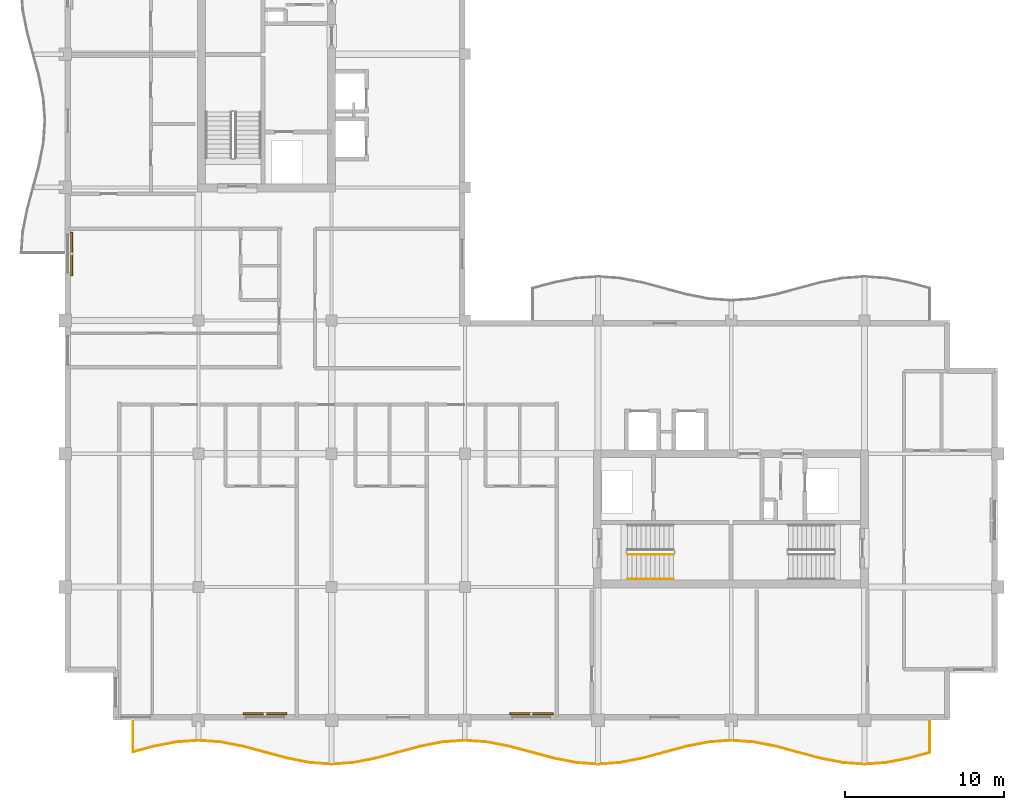
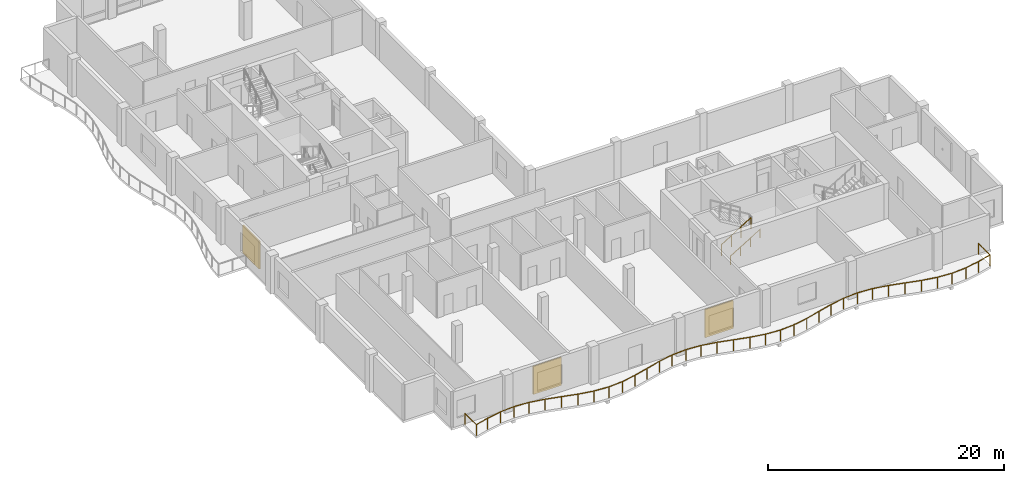
# One storey, part 14 of 17: 3 railings, 3 shading devices.
"""IFC4 building model written with IfcOpenShell, lengths in metres."""

from ifc_helpers import new_model, si_unit, direction, frame, origin, origin_2d, place, context, subcontext, project, spatial, rectangle, circle, extrude, material, layer, layer_set, type_object, element, save


model = new_model("IFC4")

# Units and contexts
model_context = context("Model", 3, precision=1e-05, world=origin(), true_north=direction((0.0, 1.0)))
body_context = subcontext(model_context, "Body", "Model", "MODEL_VIEW")
ifc_project = project(units=[si_unit("LENGTHUNIT", "METRE"), si_unit("AREAUNIT", "SQUARE_METRE"), si_unit("VOLUMEUNIT", "CUBIC_METRE"), si_unit("PLANEANGLEUNIT", "RADIAN"), si_unit("MASSUNIT", "GRAM", prefix="KILO")], contexts=[model_context])

# Site, building, storey
site_placement = place(None, origin())
site = spatial("IfcSite", under=ifc_project, at=site_placement, CompositionType="ELEMENT")
building_placement = place(site_placement, origin())
building = spatial("IfcBuilding", under=site, at=building_placement, Name="Koriwani Terraces Tower", CompositionType="ELEMENT")
storey_placement = place(building_placement, frame((0.0, 0.0, 316.39990234375)))
storey = spatial("IfcBuildingStorey", under=building, at=storey_placement, Name="L78", CompositionType="ELEMENT", Elevation=316.39990234375)

# Railings
ifc_material_1 = material(Name="Steel ASTM A572 Grade 50", Category="steel")
railing_type_1 = type_object("IfcRailingType", Name="GUARD_BALUSTRADE_1150", PredefinedType="BALUSTRADE", material=ifc_material_1)
railing_1_placement = place(storey_placement, frame((12.679931640625, 8.320068359375, 0.0)))
element("IfcRailing", 1, at=railing_1_placement, inside=storey, type_object=railing_type_1, Name="L78 Balcony Perimeter Safety Balustrade (S)", PredefinedType="BALUSTRADE", context=body_context, shape_type="SweptSolid", body=[
    extrude(circle(Radius=0.02392578125, at=origin_2d()), frame((0.0, 0.0, 1.1259765625), z_axis=(0.0, -1.0, 0.0), x_axis=(1.0, 0.0, 0.0)), (0.0, 0.0, 1.0), 1.915771484375),
    extrude(circle(Radius=0.02392578125, at=origin_2d()), frame((0.0, -1.915771484375, 1.1259765625), z_axis=(0.965969874285, 0.258654599752, 0.0), x_axis=(-0.258654599752, 0.965969874285, 0.0)), (0.0, 0.0, 1.0), 1.347900390625),
    extrude(circle(Radius=0.02392578125, at=origin_2d()), frame((1.302001953125, -1.567138671875, 1.1259765625), z_axis=(0.981358469957, 0.192186246762, 0.0), x_axis=(-0.192186246762, 0.981358469957, 0.0)), (0.0, 0.0, 1.0), 1.434326171875),
    extrude(circle(Radius=0.02392578125, at=origin_2d()), frame((2.70947265625, -1.29150390625, 1.1259765625), z_axis=(0.997430581876, 0.071639614309, 0.0), x_axis=(-0.071639614309, 0.997430581876, 0.0)), (0.0, 0.0, 1.0), 1.414306640625),
    extrude(circle(Radius=0.02392578125, at=origin_2d()), frame((4.1201171875, -1.190185546875, 1.1259765625), z_axis=(0.997430581876, -0.071639614309, 0.0), x_axis=(0.071639614309, 0.997430581876, 0.0)), (0.0, 0.0, 1.0), 1.414306640625),
    extrude(circle(Radius=0.02392578125, at=origin_2d()), frame((5.53076171875, -1.29150390625, 1.1259765625), z_axis=(0.981352180954, -0.192218357442, 0.0), x_axis=(0.192218357442, 0.981352180954, 0.0)), (0.0, 0.0, 1.0), 1.43408203125),
    extrude(circle(Radius=0.02392578125, at=origin_2d()), frame((6.93798828125, -1.567138671875, 1.1259765625), z_axis=(0.965954816498, -0.258710827923, 0.0), x_axis=(0.258710827923, 0.965954816498, 0.0)), (0.0, 0.0, 1.0), 2.89892578125),
    extrude(circle(Radius=0.02392578125, at=origin_2d()), frame((9.73828125, -2.317138671875, 1.1259765625), z_axis=(0.981321393675, -0.19237547223, 0.0), x_axis=(0.19237547223, 0.981321393675, 0.0)), (0.0, 0.0, 1.0), 1.4189453125),
    extrude(circle(Radius=0.02392578125, at=origin_2d()), frame((11.130615234375, -2.590087890625, 1.1259765625), z_axis=(0.997427466293, -0.07168297904, 0.0), x_axis=(0.07168297904, 0.997427466293, 0.0)), (0.0, 0.0, 1.0), 1.39306640625),
    extrude(circle(Radius=0.02392578125, at=origin_2d()), frame((12.52001953125, -2.68994140625, 1.1259765625), z_axis=(0.997427466293, 0.07168297904, 0.0), x_axis=(-0.07168297904, 0.997427466293, 0.0)), (0.0, 0.0, 1.0), 1.39306640625),
    extrude(circle(Radius=0.02392578125, at=origin_2d()), frame((13.909423828125, -2.590087890625, 1.1259765625), z_axis=(0.981327760125, 0.192342993657, 0.0), x_axis=(-0.192342993657, 0.981327760125, 0.0)), (0.0, 0.0, 1.0), 1.419189453125),
    extrude(circle(Radius=0.02392578125, at=origin_2d()), frame((15.302001953125, -2.317138671875, 1.1259765625), z_axis=(0.96594917914, 0.258731875344, 0.0), x_axis=(-0.258731875344, 0.96594917914, 0.0)), (0.0, 0.0, 1.0), 2.898681640625),
    extrude(circle(Radius=0.02392578125, at=origin_2d()), frame((18.10205078125, -1.567138671875, 1.1259765625), z_axis=(0.981358469957, 0.192186246762, 0.0), x_axis=(-0.192186246762, 0.981358469957, 0.0)), (0.0, 0.0, 1.0), 1.434326171875),
    extrude(circle(Radius=0.02392578125, at=origin_2d()), frame((19.509521484375, -1.29150390625, 1.1259765625), z_axis=(0.997430581876, 0.071639614309, 0.0), x_axis=(-0.071639614309, 0.997430581876, 0.0)), (0.0, 0.0, 1.0), 1.414306640625),
    extrude(circle(Radius=0.02392578125, at=origin_2d()), frame((20.920166015625, -1.190185546875, 1.1259765625), z_axis=(0.997429695692, -0.071651951482, 0.0), x_axis=(0.071651951482, 0.997429695692, 0.0)), (0.0, 0.0, 1.0), 1.4140625),
    extrude(circle(Radius=0.02392578125, at=origin_2d()), frame((22.33056640625, -1.29150390625, 1.1259765625), z_axis=(0.981358469957, -0.192186246762, 0.0), x_axis=(0.192186246762, 0.981358469957, 0.0)), (0.0, 0.0, 1.0), 1.434326171875),
    extrude(circle(Radius=0.02392578125, at=origin_2d()), frame((23.738037109375, -1.567138671875, 1.1259765625), z_axis=(0.96594917914, -0.258731875344, 0.0), x_axis=(0.258731875344, 0.96594917914, 0.0)), (0.0, 0.0, 1.0), 2.898681640625),
    extrude(circle(Radius=0.02392578125, at=origin_2d()), frame((26.5380859375, -2.317138671875, 1.1259765625), z_axis=(0.981327760125, -0.192342993657, 0.0), x_axis=(0.192342993657, 0.981327760125, 0.0)), (0.0, 0.0, 1.0), 1.419189453125),
    extrude(circle(Radius=0.02392578125, at=origin_2d()), frame((27.9306640625, -2.590087890625, 1.1259765625), z_axis=(0.997427466293, -0.07168297904, 0.0), x_axis=(0.07168297904, 0.997427466293, 0.0)), (0.0, 0.0, 1.0), 1.39306640625),
    extrude(circle(Radius=0.02392578125, at=origin_2d()), frame((29.320068359375, -2.68994140625, 1.1259765625), z_axis=(0.997427466293, 0.07168297904, 0.0), x_axis=(-0.07168297904, 0.997427466293, 0.0)), (0.0, 0.0, 1.0), 1.39306640625),
    extrude(circle(Radius=0.02392578125, at=origin_2d()), frame((30.70947265625, -2.590087890625, 1.1259765625), z_axis=(0.981327760125, 0.192342993657, 0.0), x_axis=(-0.192342993657, 0.981327760125, 0.0)), (0.0, 0.0, 1.0), 1.419189453125),
    extrude(circle(Radius=0.02392578125, at=origin_2d()), frame((32.10205078125, -2.317138671875, 1.1259765625), z_axis=(0.96594917914, 0.258731875344, 0.0), x_axis=(-0.258731875344, 0.96594917914, 0.0)), (0.0, 0.0, 1.0), 2.898681640625),
    extrude(circle(Radius=0.02392578125, at=origin_2d()), frame((34.902099609375, -1.567138671875, 1.1259765625), z_axis=(0.981358469957, 0.192186246762, 0.0), x_axis=(-0.192186246762, 0.981358469957, 0.0)), (0.0, 0.0, 1.0), 1.434326171875),
    extrude(circle(Radius=0.02392578125, at=origin_2d()), frame((36.3095703125, -1.29150390625, 1.1259765625), z_axis=(0.997429695692, 0.071651951482, 0.0), x_axis=(-0.071651951482, 0.997429695692, 0.0)), (0.0, 0.0, 1.0), 1.4140625),
    extrude(circle(Radius=0.02392578125, at=origin_2d()), frame((37.719970703125, -1.190185546875, 1.1259765625), z_axis=(0.997430581876, -0.071639614309, 0.0), x_axis=(0.071639614309, 0.997430581876, 0.0)), (0.0, 0.0, 1.0), 1.414306640625),
    extrude(circle(Radius=0.02392578125, at=origin_2d()), frame((39.130615234375, -1.29150390625, 1.1259765625), z_axis=(0.981358469957, -0.192186246762, 0.0), x_axis=(0.192186246762, 0.981358469957, 0.0)), (0.0, 0.0, 1.0), 1.434326171875),
    extrude(circle(Radius=0.02392578125, at=origin_2d()), frame((40.5380859375, -1.567138671875, 1.1259765625), z_axis=(0.96594917914, -0.258731875344, 0.0), x_axis=(0.258731875344, 0.96594917914, 0.0)), (0.0, 0.0, 1.0), 2.898681640625),
    extrude(circle(Radius=0.02392578125, at=origin_2d()), frame((43.338134765625, -2.317138671875, 1.1259765625), z_axis=(0.981327760125, -0.192342993657, 0.0), x_axis=(0.192342993657, 0.981327760125, 0.0)), (0.0, 0.0, 1.0), 1.419189453125),
    extrude(circle(Radius=0.02392578125, at=origin_2d()), frame((44.730712890625, -2.590087890625, 1.1259765625), z_axis=(0.997427466293, -0.07168297904, 0.0), x_axis=(0.07168297904, 0.997427466293, 0.0)), (0.0, 0.0, 1.0), 1.39306640625),
    extrude(circle(Radius=0.02392578125, at=origin_2d()), frame((46.1201171875, -2.68994140625, 1.1259765625), z_axis=(0.997427466293, 0.07168297904, 0.0), x_axis=(-0.07168297904, 0.997427466293, 0.0)), (0.0, 0.0, 1.0), 1.39306640625),
    extrude(circle(Radius=0.02392578125, at=origin_2d()), frame((47.509521484375, -2.590087890625, 1.1259765625), z_axis=(0.981321393675, 0.19237547223, 0.0), x_axis=(-0.19237547223, 0.981321393675, 0.0)), (0.0, 0.0, 1.0), 1.4189453125),
    extrude(circle(Radius=0.02392578125, at=origin_2d()), frame((48.90185546875, -2.317138671875, 1.1259765625), z_axis=(0.965953557044, 0.25871553033, 0.0), x_axis=(-0.25871553033, 0.965953557044, 0.0)), (0.0, 0.0, 1.0), 1.38525390625),
    extrude(circle(Radius=0.02392578125, at=origin_2d()), frame((50.239990234375, -1.958740234375, 1.1259765625), z_axis=(0.0, 1.0, 0.0), x_axis=(-1.0, 0.0, 0.0)), (0.0, 0.0, 1.0), 1.958740234375),
    extrude(circle(Radius=0.02099609375, at=origin_2d()), origin(), (0.0, 0.0, 1.0), 1.101806640625),
    extrude(circle(Radius=0.02099609375, at=origin_2d()), frame((0.0, -1.915771484375, 0.0)), (0.0, 0.0, 1.0), 1.101806640625),
    extrude(circle(Radius=0.02099609375, at=origin_2d()), frame((1.302001953125, -1.567138671875, 0.0)), (0.0, 0.0, 1.0), 1.101806640625),
    extrude(circle(Radius=0.02099609375, at=origin_2d()), frame((2.70947265625, -1.29150390625, 0.0)), (0.0, 0.0, 1.0), 1.101806640625),
    extrude(circle(Radius=0.02099609375, at=origin_2d()), frame((4.1201171875, -1.190185546875, 0.0)), (0.0, 0.0, 1.0), 1.101806640625),
    extrude(circle(Radius=0.02099609375, at=origin_2d()), frame((5.53076171875, -1.29150390625, 0.0)), (0.0, 0.0, 1.0), 1.101806640625),
    extrude(circle(Radius=0.02099609375, at=origin_2d()), frame((6.93798828125, -1.567138671875, 0.0)), (0.0, 0.0, 1.0), 1.101806640625),
    extrude(circle(Radius=0.02099609375, at=origin_2d()), frame((8.338134765625, -1.942138671875, 0.0)), (0.0, 0.0, 1.0), 1.101806640625),
    extrude(circle(Radius=0.02099609375, at=origin_2d()), frame((9.73828125, -2.317138671875, 0.0)), (0.0, 0.0, 1.0), 1.101806640625),
    extrude(circle(Radius=0.02099609375, at=origin_2d()), frame((11.130615234375, -2.590087890625, 0.0)), (0.0, 0.0, 1.0), 1.101806640625),
    extrude(circle(Radius=0.02099609375, at=origin_2d()), frame((12.52001953125, -2.68994140625, 0.0)), (0.0, 0.0, 1.0), 1.101806640625),
    extrude(circle(Radius=0.02099609375, at=origin_2d()), frame((13.909423828125, -2.590087890625, 0.0)), (0.0, 0.0, 1.0), 1.101806640625),
    extrude(circle(Radius=0.02099609375, at=origin_2d()), frame((15.302001953125, -2.317138671875, 0.0)), (0.0, 0.0, 1.0), 1.101806640625),
    extrude(circle(Radius=0.02099609375, at=origin_2d()), frame((16.7021484375, -1.942138671875, 0.0)), (0.0, 0.0, 1.0), 1.101806640625),
    extrude(circle(Radius=0.02099609375, at=origin_2d()), frame((18.10205078125, -1.567138671875, 0.0)), (0.0, 0.0, 1.0), 1.101806640625),
    extrude(circle(Radius=0.02099609375, at=origin_2d()), frame((19.509521484375, -1.29150390625, 0.0)), (0.0, 0.0, 1.0), 1.101806640625),
    extrude(circle(Radius=0.02099609375, at=origin_2d()), frame((20.920166015625, -1.190185546875, 0.0)), (0.0, 0.0, 1.0), 1.101806640625),
    extrude(circle(Radius=0.02099609375, at=origin_2d()), frame((22.33056640625, -1.29150390625, 0.0)), (0.0, 0.0, 1.0), 1.101806640625),
    extrude(circle(Radius=0.02099609375, at=origin_2d()), frame((23.738037109375, -1.567138671875, 0.0)), (0.0, 0.0, 1.0), 1.101806640625),
    extrude(circle(Radius=0.02099609375, at=origin_2d()), frame((25.13818359375, -1.942138671875, 0.0)), (0.0, 0.0, 1.0), 1.101806640625),
    extrude(circle(Radius=0.02099609375, at=origin_2d()), frame((26.5380859375, -2.317138671875, 0.0)), (0.0, 0.0, 1.0), 1.101806640625),
    extrude(circle(Radius=0.02099609375, at=origin_2d()), frame((27.9306640625, -2.590087890625, 0.0)), (0.0, 0.0, 1.0), 1.101806640625),
    extrude(circle(Radius=0.02099609375, at=origin_2d()), frame((29.320068359375, -2.68994140625, 0.0)), (0.0, 0.0, 1.0), 1.101806640625),
    extrude(circle(Radius=0.02099609375, at=origin_2d()), frame((30.70947265625, -2.590087890625, 0.0)), (0.0, 0.0, 1.0), 1.101806640625),
    extrude(circle(Radius=0.02099609375, at=origin_2d()), frame((32.10205078125, -2.317138671875, 0.0)), (0.0, 0.0, 1.0), 1.101806640625),
    extrude(circle(Radius=0.02099609375, at=origin_2d()), frame((33.501953125, -1.942138671875, 0.0)), (0.0, 0.0, 1.0), 1.101806640625),
    extrude(circle(Radius=0.02099609375, at=origin_2d()), frame((34.902099609375, -1.567138671875, 0.0)), (0.0, 0.0, 1.0), 1.101806640625),
    extrude(circle(Radius=0.02099609375, at=origin_2d()), frame((36.3095703125, -1.29150390625, 0.0)), (0.0, 0.0, 1.0), 1.101806640625),
    extrude(circle(Radius=0.02099609375, at=origin_2d()), frame((37.719970703125, -1.190185546875, 0.0)), (0.0, 0.0, 1.0), 1.101806640625),
    extrude(circle(Radius=0.02099609375, at=origin_2d()), frame((39.130615234375, -1.29150390625, 0.0)), (0.0, 0.0, 1.0), 1.101806640625),
    extrude(circle(Radius=0.02099609375, at=origin_2d()), frame((40.5380859375, -1.567138671875, 0.0)), (0.0, 0.0, 1.0), 1.101806640625),
    extrude(circle(Radius=0.02099609375, at=origin_2d()), frame((41.93798828125, -1.942138671875, 0.0)), (0.0, 0.0, 1.0), 1.101806640625),
    extrude(circle(Radius=0.02099609375, at=origin_2d()), frame((43.338134765625, -2.317138671875, 0.0)), (0.0, 0.0, 1.0), 1.101806640625),
    extrude(circle(Radius=0.02099609375, at=origin_2d()), frame((44.730712890625, -2.590087890625, 0.0)), (0.0, 0.0, 1.0), 1.101806640625),
    extrude(circle(Radius=0.02099609375, at=origin_2d()), frame((46.1201171875, -2.68994140625, 0.0)), (0.0, 0.0, 1.0), 1.101806640625),
    extrude(circle(Radius=0.02099609375, at=origin_2d()), frame((47.509521484375, -2.590087890625, 0.0)), (0.0, 0.0, 1.0), 1.101806640625),
    extrude(circle(Radius=0.02099609375, at=origin_2d()), frame((48.90185546875, -2.317138671875, 0.0)), (0.0, 0.0, 1.0), 1.101806640625),
    extrude(circle(Radius=0.02099609375, at=origin_2d()), frame((50.239990234375, -1.958740234375, 0.0)), (0.0, 0.0, 1.0), 1.101806640625),
    extrude(circle(Radius=0.02099609375, at=origin_2d()), frame((50.239990234375, 0.0, 0.0)), (0.0, 0.0, 1.0), 1.101806640625),
])
railing_type_2 = type_object("IfcRailingType", Name="GUARD_STAIR_WELL_1120", PredefinedType="GUARDRAIL", material=ifc_material_1)
railing_2_placement = place(storey_placement, frame((43.85009765625, 18.85009765625, 0.177490234375)))
element("IfcRailing", 2, at=railing_2_placement, inside=storey, type_object=railing_type_2, Name="L78 ST-E1 stair guard 1", PredefinedType="GUARDRAIL", context=body_context, shape_type="SweptSolid", body=[
    extrude(circle(Radius=0.02392578125, at=origin_2d()), frame((0.0, 0.0, 1.1259765625), z_axis=(0.853210801645, 0.0, 0.521566225858), x_axis=(0.0, 1.0, 0.0)), (0.0, 0.0, 1.0), 3.39892578125),
    extrude(circle(Radius=0.02099609375, at=origin_2d()), origin(), (0.0, 0.0, 1.0), 1.101806640625),
    extrude(circle(Radius=0.02099609375, at=origin_2d()), frame((0.966552734375, 0.0, 0.5908203125)), (0.0, 0.0, 1.0), 1.101806640625),
    extrude(circle(Radius=0.02099609375, at=origin_2d()), frame((1.933349609375, 0.0, 1.181884765625)), (0.0, 0.0, 1.0), 1.101806640625),
    extrude(circle(Radius=0.02099609375, at=origin_2d()), frame((2.89990234375, 0.0, 1.772705078125)), (0.0, 0.0, 1.0), 1.101806640625),
])
railing_type_3 = type_object("IfcRailingType", Name="HANDRAIL_STAIR_920", PredefinedType="HANDRAIL", material=ifc_material_1)
railing_3_placement = place(storey_placement, frame((43.85009765625, 17.300048828125, 0.177490234375)))
element("IfcRailing", 3, at=railing_3_placement, inside=storey, type_object=railing_type_3, Name="L78 ST-E1 stair handrail 1", PredefinedType="HANDRAIL", context=body_context, shape_type="SweptSolid", body=[
    extrude(circle(Radius=0.02392578125, at=origin_2d()), frame((0.0, 0.0, 0.8759765625), z_axis=(0.853210801645, 0.0, 0.521566225858), x_axis=(0.0, 1.0, 0.0)), (0.0, 0.0, 1.0), 3.39892578125),
    extrude(circle(Radius=0.02099609375, at=origin_2d()), origin(), (0.0, 0.0, 1.0), 0.851806640625),
    extrude(circle(Radius=0.02099609375, at=origin_2d()), frame((0.966552734375, 0.0, 0.5908203125)), (0.0, 0.0, 1.0), 0.851806640625),
    extrude(circle(Radius=0.02099609375, at=origin_2d()), frame((1.933349609375, 0.0, 1.181884765625)), (0.0, 0.0, 1.0), 0.851806640625),
    extrude(circle(Radius=0.02099609375, at=origin_2d()), frame((2.89990234375, 0.0, 1.772705078125)), (0.0, 0.0, 1.0), 0.851806640625),
])

# Shading devices
ifc_material_2 = material(Name="Extruded Terracotta Clay", Category="masonry")
ifc_layer = layer(ifc_material_2, 0.1201171875, Name="Extruded Terracotta Clay")
ifc_layer_set = layer_set([ifc_layer], Name="Extruded Terracotta Clay")
shading_device_type = type_object("IfcShadingDeviceType", Name="TERRACOTTA_BAGUETTE_SCREEN_2800", PredefinedType="USERDEFINED", material=ifc_layer_set)
for number, where, z_axis, x_axis, name in (
    (4, (8.804931640625, 37.800048828125, 0.38525390625), (0.0, 0.0, 1.0), (0.0, 1.0, 0.0), "L78 Extruded Terracotta Baguette Screen (W-9)"),
    (5, (21.0, 8.804931640625, 0.38525390625), (0.0, 0.0, 1.0), (-1.0, 0.0, 0.0), "L78 Extruded Terracotta Baguette Screen (S-3)"),
    (6, (37.800048828125, 8.804931640625, 0.38525390625), (0.0, 0.0, 1.0), (-1.0, 0.0, 0.0), "L78 Extruded Terracotta Baguette Screen (S-9)"),
):
    element("IfcShadingDevice", number, at=place(storey_placement, frame(where, z_axis=z_axis, x_axis=x_axis)), inside=storey, type_object=shading_device_type, Name=name, ObjectType="BAGUETTE", PredefinedType="USERDEFINED", context=body_context, shape_type="SweptSolid", body=[
        extrude(rectangle(XDim=2.760009765625, YDim=0.1201171875, at=origin_2d()), origin(), (0.0, 0.0, 1.0), 2.89990234375),
    ])

save(model, "model.ifc")
